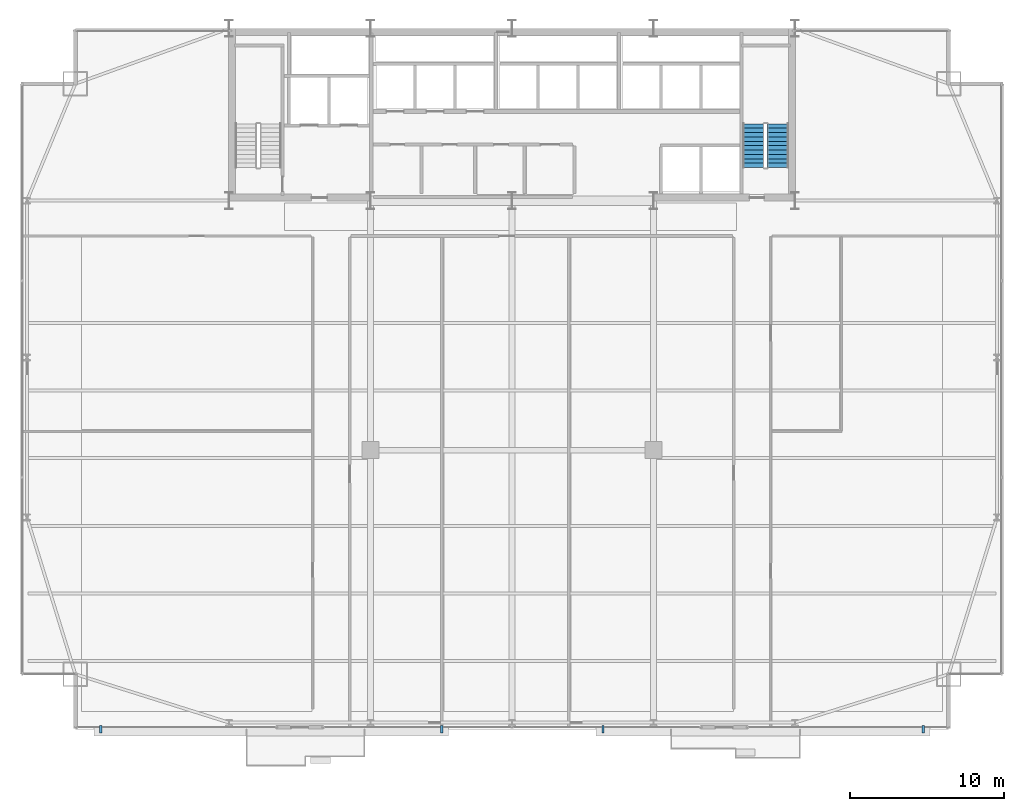
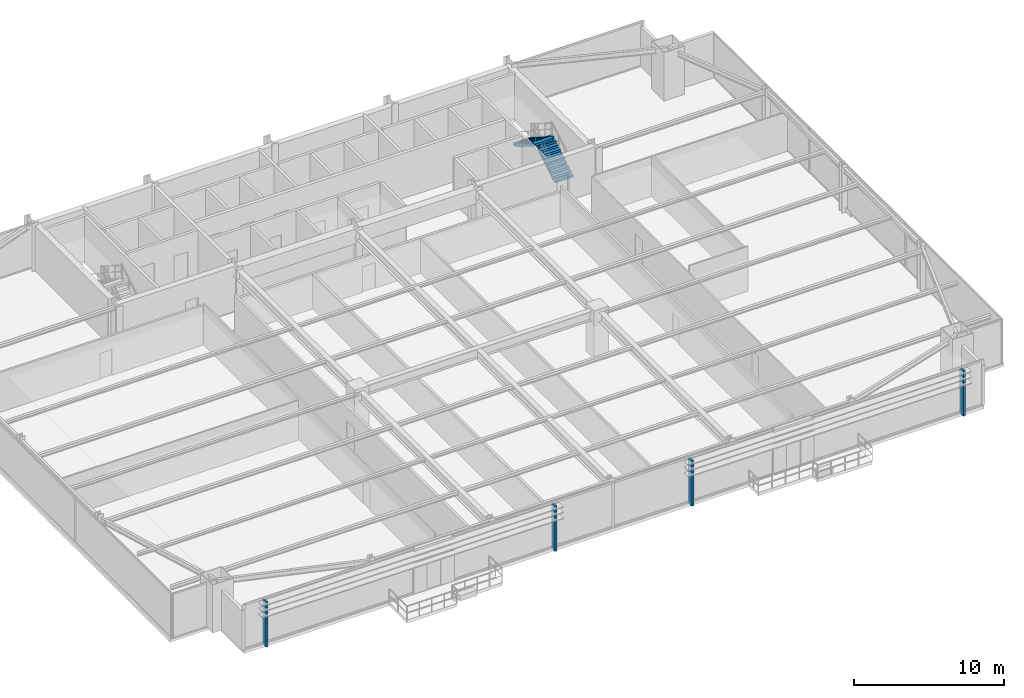
# One storey, part 29 of 31: 4 discrete accessories, 2 stair flights, 1 element without a shape of its own.
"""IFC4 building model written with IfcOpenShell, lengths in metres."""

import ifcopenshell
import ifcopenshell.guid

model = None  # the IFC model being written
_history = None  # IfcOwnerHistory: only IFC2X3 demands one
_inside = {}  # id of a spatial element -> (the spatial element, [elements in it])
_under = {}  # id of a project, library or spatial element -> (it, [spatial elements below it])
_declared = {}  # id of a project -> (the project, [libraries it declares])
_typed = {}  # id of a type object -> (the type object, [elements of that type])
_made_of = {}  # id of a material, layer set ... -> (it, [elements and type objects made of it])


def new_model(schema):
    """Start an empty IFC model of exactly this schema.

    Asked for "IFC4X3", IfcOpenShell would pick the latest addendum, in which some entities
    have other attributes; the version numbers below select the first issue.
    IFC2X3 requires an IfcOwnerHistory on every rooted entity: one is made here for all.
    """
    global model, _history
    if schema == "IFC4X3":
        model = ifcopenshell.file(schema_version=(4, 3, 0, 0))
    else:
        model = ifcopenshell.file(schema=schema)
    _inside.clear()
    _under.clear()
    _declared.clear()
    _typed.clear()
    _made_of.clear()
    _history = None
    if model.schema == "IFC2X3":
        org = make("IfcOrganization", Name="unknown")
        user = make(
            "IfcPersonAndOrganization",
            ThePerson=make("IfcPerson", FamilyName="unknown"),
            TheOrganization=org,
        )
        app = make(
            "IfcApplication",
            ApplicationDeveloper=org,
            Version="unknown",
            ApplicationFullName="unknown",
            ApplicationIdentifier="unknown",
        )
        _history = make(
            "IfcOwnerHistory",
            OwningUser=user,
            OwningApplication=app,
            ChangeAction="ADDED",
            CreationDate=0,
        )
    return model


def make(cls, **values):
    """One entity of the class cls with the attributes given. An attribute that is None is left unset."""
    return model.create_entity(
        cls, **{name: value for name, value in values.items() if value is not None}
    )


def rooted(cls, **values):
    """An entity with a GlobalId (a new one), such as an element, a storey or a relation."""
    return make(cls, GlobalId=ifcopenshell.guid.new(), OwnerHistory=_history, **values)


def si_unit(unit_type, name, prefix=None):
    """IfcSIUnit, for example si_unit("LENGTHUNIT", "METRE", prefix="MILLI")."""
    return make("IfcSIUnit", UnitType=unit_type, Prefix=prefix, Name=name)


def assignment(units):
    """IfcUnitAssignment: the units of a project."""
    return None if units is None else make("IfcUnitAssignment", Units=units)


def point(xyz):
    """IfcCartesianPoint."""
    return None if xyz is None else make("IfcCartesianPoint", Coordinates=xyz)


def direction(xyz):
    """IfcDirection."""
    return None if xyz is None else make("IfcDirection", DirectionRatios=xyz)


def frame(location, z_axis=None, x_axis=None):
    """IfcAxis2Placement3D, a coordinate frame: its origin and axes. An axis left out is left unset."""
    return make(
        "IfcAxis2Placement3D",
        Location=point(location),
        Axis=direction(z_axis),
        RefDirection=direction(x_axis),
    )


def frame_2d(location, x_axis=None):
    """IfcAxis2Placement2D, a coordinate frame in the plane: its origin and x axis."""
    return make(
        "IfcAxis2Placement2D", Location=point(location), RefDirection=direction(x_axis)
    )


def origin():
    """The frame at (0, 0, 0) with its axes left unset."""
    return frame((0.0, 0.0, 0.0))


def origin_2d():
    """The frame at (0, 0) in the plane with its x axis left unset."""
    return frame_2d((0.0, 0.0))


def place(relative_to, where):
    """IfcLocalPlacement: puts the frame where relative to a parent placement (None: the world)."""
    return make(
        "IfcLocalPlacement", PlacementRelTo=relative_to, RelativePlacement=where
    )


def context(
    kind, dimensions, precision=None, world=None, true_north=None, identifier=None
):
    """IfcGeometricRepresentationContext, for example the 3D "Model" context."""
    return make(
        "IfcGeometricRepresentationContext",
        ContextIdentifier=identifier,
        ContextType=kind,
        CoordinateSpaceDimension=dimensions,
        Precision=precision,
        WorldCoordinateSystem=world,
        TrueNorth=true_north,
    )


def subcontext(parent, identifier, kind, view, scale=None):
    """IfcGeometricRepresentationSubContext, for example "Body" below "Model"."""
    return make(
        "IfcGeometricRepresentationSubContext",
        ContextIdentifier=identifier,
        ContextType=kind,
        ParentContext=parent,
        TargetScale=scale,
        TargetView=view,
    )


def project(units=None, contexts=None):
    """IfcProject with its units and contexts."""
    return rooted(
        "IfcProject",
        Name="project",
        RepresentationContexts=contexts,
        UnitsInContext=assignment(units),
    )


def spatial(cls, under=None, at=None, **own):
    """A site, building, storey or space (cls), placed at a placement, below another one or the project."""
    s = rooted(cls, ObjectPlacement=at, **own)
    if under is not None:
        _under.setdefault(under.id(), (under, []))[1].append(s)
    return s


def polyline(points):
    """IfcPolyline through the points."""
    return make("IfcPolyline", Points=[point(p) for p in points])


def profile(cls, at=None, kind="AREA", **sizes):
    """A parametric profile (cls). Its sizes go by their IFC names, for example OverallWidth=200.0."""
    return make(cls, ProfileType=kind, Position=at, **sizes)


def rectangle(**sizes):
    """IfcRectangleProfileDef."""
    return profile("IfcRectangleProfileDef", **sizes)


def outline(outer, holes=None, kind="AREA"):
    """IfcArbitraryClosedProfileDef: a profile drawn as a closed curve; with holes, ...WithVoids."""
    if holes is None:
        return make("IfcArbitraryClosedProfileDef", ProfileType=kind, OuterCurve=outer)
    return make(
        "IfcArbitraryProfileDefWithVoids",
        ProfileType=kind,
        OuterCurve=outer,
        InnerCurves=holes,
    )


def extrude(swept, where, along, depth):
    """IfcExtrudedAreaSolid: the profile swept, set in the frame where, extruded along a direction by depth."""
    return make(
        "IfcExtrudedAreaSolid",
        SweptArea=swept,
        Position=where,
        ExtrudedDirection=direction(along),
        Depth=depth,
    )


def shape(context_of_items, identifier, shape_type, items):
    """IfcShapeRepresentation: the items that make up one representation, for example the "Body"."""
    return make(
        "IfcShapeRepresentation",
        ContextOfItems=context_of_items,
        RepresentationIdentifier=identifier,
        RepresentationType=shape_type,
        Items=items,
    )


def source(mapping_origin, context_of_items, identifier, shape_type, items):
    """IfcRepresentationMap: a shape defined once, which mapped items show again and again."""
    return make(
        "IfcRepresentationMap",
        MappingOrigin=mapping_origin,
        MappedRepresentation=shape(context_of_items, identifier, shape_type, items),
    )


def transform(
    local_origin,
    x_axis=None,
    y_axis=None,
    z_axis=None,
    scale=None,
    scale2=None,
    scale3=None,
    uniform=True,
):
    """IfcCartesianTransformationOperator3D, or its non-uniform kind. x_axis, y_axis, z_axis: its Axis1, 2, 3."""
    if uniform:
        return make(
            "IfcCartesianTransformationOperator3D",
            Axis1=direction(x_axis),
            Axis2=direction(y_axis),
            LocalOrigin=point(local_origin),
            Scale=scale,
            Axis3=direction(z_axis),
        )
    return make(
        "IfcCartesianTransformationOperator3DnonUniform",
        Axis1=direction(x_axis),
        Axis2=direction(y_axis),
        LocalOrigin=point(local_origin),
        Scale=scale,
        Axis3=direction(z_axis),
        Scale2=scale2,
        Scale3=scale3,
    )


def mapped(mapping_source, mapping_target):
    """IfcMappedItem: shows the shape of a source again, moved by a transform."""
    return make(
        "IfcMappedItem", MappingSource=mapping_source, MappingTarget=mapping_target
    )


def material(Name=None, Category=None):
    """IfcMaterial."""
    return make("IfcMaterial", Name=Name, Category=Category)


def layer(
    of_material, thickness, ventilated=None, Name=None, Category=None, Priority=None
):
    """IfcMaterialLayer: one layer of a wall or slab, of a material (None: an air gap)."""
    return make(
        "IfcMaterialLayer",
        Material=of_material,
        LayerThickness=thickness,
        IsVentilated=ventilated,
        Name=Name,
        Category=Category,
        Priority=Priority,
    )


def layer_set(layers, Name=None):
    """IfcMaterialLayerSet."""
    return make("IfcMaterialLayerSet", MaterialLayers=layers, LayerSetName=Name)


def made_of(thing, what):
    """Note that an element or type object is made of a material, layer set ...; save() writes the relation."""
    if what is not None:
        _made_of.setdefault(what.id(), (what, []))[1].append(thing)
    return thing


def type_object(cls, material=None, **own):
    """A type object (cls), such as IfcWallType, which elements share."""
    return made_of(rooted(cls, **own), material)


def type_shapes(of_type, sources):
    """Give a type object the sources (RepresentationMaps) that its elements show as mapped items."""
    of_type.RepresentationMaps = sources


def element(
    cls,
    number,
    at=None,
    inside=None,
    cuts=None,
    type_object=None,
    material=None,
    context=None,
    identifier="Body",
    shape_type=None,
    held_by="IfcProductDefinitionShape",
    body=None,
    shapes=None,
    **own,
):
    """One element of the class cls, such as IfcWall. Its Tag is "e" and its number.

    at: its placement. inside: the storey or other place that contains it. cuts: it is an
    opening in that element (IfcRelVoidsElement). A single representation is given by context,
    identifier, shape_type and body (its items); several are given by shapes. held_by: the class
    of the entity that holds the representations. save() writes the other relations.
    """
    e = rooted(cls, Tag="e%d" % number, ObjectPlacement=at, **own)
    if body is not None:
        shapes = [shape(context, identifier, shape_type, body)]
    if shapes is not None:
        e.Representation = make(held_by, Representations=shapes)
    if inside is not None:
        _inside.setdefault(inside.id(), (inside, []))[1].append(e)
    if cuts is not None:
        rooted(
            "IfcRelVoidsElement", RelatingBuildingElement=cuts, RelatedOpeningElement=e
        )
    if type_object is not None:
        _typed.setdefault(type_object.id(), (type_object, []))[1].append(e)
    return made_of(e, material)


def aggregate(whole, parts):
    """IfcRelAggregates: a whole, such as a stair, and the parts it consists of."""
    return rooted("IfcRelAggregates", RelatingObject=whole, RelatedObjects=parts)


def save(model, path):
    """Write the relations noted so far, then the file.

    IfcRelAggregates (storeys below a building ...), IfcRelContainedInSpatialStructure (elements
    in a storey), IfcRelDefinesByType, IfcRelAssociatesMaterial and IfcRelDeclares: one each for
    every whole, place, type object, material and project.
    """
    for whole, parts in _under.values():
        aggregate(whole, parts)
    for where, things in _inside.values():
        rooted(
            "IfcRelContainedInSpatialStructure",
            RelatedElements=things,
            RelatingStructure=where,
        )
    for kind, things in _typed.values():
        rooted("IfcRelDefinesByType", RelatedObjects=things, RelatingType=kind)
    for what, things in _made_of.values():
        rooted("IfcRelAssociatesMaterial", RelatedObjects=things, RelatingMaterial=what)
    for by, libraries in _declared.values():
        rooted("IfcRelDeclares", RelatingContext=by, RelatedDefinitions=libraries)
    model.write(path)


model = new_model("IFC4")

# Units and contexts
model_context = context("Model", 3, precision=1e-05, world=origin(), true_north=direction((0.0, 1.0)))
body_context = subcontext(model_context, "Body", "Model", "MODEL_VIEW")
ifc_project = project(units=[si_unit("LENGTHUNIT", "METRE"), si_unit("AREAUNIT", "SQUARE_METRE"), si_unit("VOLUMEUNIT", "CUBIC_METRE"), si_unit("PLANEANGLEUNIT", "RADIAN"), si_unit("MASSUNIT", "GRAM", prefix="KILO")], contexts=[model_context])

# Site, building, storey
site_placement = place(None, origin())
site = spatial("IfcSite", under=ifc_project, at=site_placement, CompositionType="ELEMENT")
building_placement = place(site_placement, origin())
building = spatial("IfcBuilding", under=site, at=building_placement, Name="Varnel Quay Broadcast Tower", CompositionType="ELEMENT")
storey_placement = place(building_placement, frame((0.0, 0.0, 35.39990234375)))
storey = spatial("IfcBuildingStorey", under=building, at=storey_placement, Name="L07", CompositionType="ELEMENT", Elevation=35.39990234375)

# Stair, stair flights
ifc_material_1 = material(Name="Precast Structural Concrete C40/50", Category="concrete")
stair_type = type_object("IfcStairType", Name="Stair_ST-02", PredefinedType="HALF_TURN_STAIR", material=ifc_material_1)
stair_placement = place(storey_placement, origin())
stair = element("IfcStair", 1, at=stair_placement, inside=storey, type_object=stair_type, Name="L07 East Core Exit Stair 2", PredefinedType="HALF_TURN_STAIR")
stair_flight_type = type_object("IfcStairFlightType", Name="Flight_ST-02", PredefinedType="STRAIGHT", material=ifc_material_1)
stair_flight_1_placement = place(storey_placement, frame((51.300048828125, 37.75, 0.0), z_axis=(0.0, 0.0, 1.0), x_axis=(0.0, 1.0, 0.0)))
stair_flight_1 = element("IfcStairFlight", 2, at=stair_flight_1_placement, type_object=stair_flight_type, Name="ST-02 flight 1", NumberOfRisers=11, NumberOfTreads=10, PredefinedType="STRAIGHT", RiserHeight=0.177272727, TreadLength=0.285, context=body_context, shape_type="SweptSolid", body=[
    extrude(outline(polyline([(0.0, 0.0), (0.0, 0.17724609375), (0.284912109375, 0.17724609375), (0.284912109375, 0.3544921875), (0.570068359375, 0.3544921875), (0.570068359375, 0.53173828125), (0.85498046875, 0.53173828125), (0.85498046875, 0.708984375), (1.139892578125, 0.708984375), (1.139892578125, 0.886474609375), (1.425048828125, 0.886474609375), (1.425048828125, 1.063720703125), (1.7099609375, 1.063720703125), (1.7099609375, 1.240966796875), (1.9951171875, 1.240966796875), (1.9951171875, 1.418212890625), (2.280029296875, 1.418212890625), (2.280029296875, 1.595458984375), (2.56494140625, 1.595458984375), (2.56494140625, 1.772705078125), (2.85009765625, 1.772705078125), (2.85009765625, 1.949951171875), (2.85009765625, 1.59619140625), (0.283935546875, 0.0), (0.0, 0.0)])), frame((0.0, 0.699951171875, 0.0), z_axis=(0.0, -1.0, 0.0), x_axis=(1.0, 0.0, 0.0)), (0.0, 0.0, 1.0), 1.39990234375),
])
stair_flight_2_placement = place(storey_placement, frame((49.699951171875, 40.60009765625, 1.9501953125), z_axis=(0.0, 0.0, 1.0), x_axis=(0.0, -1.0, 0.0)))
stair_flight_2 = element("IfcStairFlight", 3, at=stair_flight_2_placement, type_object=stair_flight_type, Name="ST-02 flight 2", NumberOfRisers=11, NumberOfTreads=10, PredefinedType="STRAIGHT", RiserHeight=0.177272727, TreadLength=0.285, context=body_context, shape_type="SweptSolid", body=[
    extrude(outline(polyline([(0.0, 0.0), (0.0, 0.17724609375), (0.284912109375, 0.17724609375), (0.284912109375, 0.3544921875), (0.570068359375, 0.3544921875), (0.570068359375, 0.53173828125), (0.85498046875, 0.53173828125), (0.85498046875, 0.708984375), (1.139892578125, 0.708984375), (1.139892578125, 0.886474609375), (1.425048828125, 0.886474609375), (1.425048828125, 1.063720703125), (1.7099609375, 1.063720703125), (1.7099609375, 1.240966796875), (1.9951171875, 1.240966796875), (1.9951171875, 1.418212890625), (2.280029296875, 1.418212890625), (2.280029296875, 1.595458984375), (2.56494140625, 1.595458984375), (2.56494140625, 1.772705078125), (2.85009765625, 1.772705078125), (2.85009765625, 1.949951171875), (2.85009765625, 1.59619140625), (0.283935546875, 0.0), (0.0, 0.0)])), frame((0.0, 0.699951171875, 0.0), z_axis=(0.0, -1.0, 0.0), x_axis=(1.0, 0.0, 0.0)), (0.0, 0.0, 1.0), 1.39990234375),
])
aggregate(stair, [stair_flight_1, stair_flight_2])

# Discrete accessories
ifc_material_2 = material(Name="Anodised Bronze Aluminium 6063-T6", Category="aluminium")
ifc_layer = layer(ifc_material_2, 0.47998046875, Name="Anodised Bronze Aluminium 6063-T6")
ifc_layer_set = layer_set([ifc_layer], Name="Anodised Bronze Aluminium 6063-T6")
discrete_accessory_type = type_object("IfcDiscreteAccessoryType", Name="Acc_FacadeBracket", PredefinedType="BRACKET", material=ifc_layer_set)
shared_shape = source(origin(), body_context, "Body", "SweptSolid", [
    extrude(rectangle(XDim=0.159912109375, YDim=0.47998046875, at=origin_2d()), origin(), (0.0, 0.0, 1.0), 3.64990234375),
])
type_shapes(discrete_accessory_type, [shared_shape])
for number, where, z_axis, x_axis, name in (
    (4, (7.25, 1.219970703125, -0.14990234375), (0.0, 0.0, 1.0), (1.0, 0.0, 0.0), "L07 Lobe 1 Louvre Support Bracket 1"),
    (5, (29.4189453125, 1.219970703125, -0.14990234375), (0.0, 0.0, 1.0), (1.0, 0.0, 0.0), "L07 Lobe 1 Louvre Support Bracket 2"),
    (6, (39.9189453125, 1.219970703125, -0.14990234375), (0.0, 0.0, 1.0), (1.0, 0.0, 0.0), "L07 Lobe 2 Louvre Support Bracket 1"),
    (7, (60.75, 1.219970703125, -0.14990234375), (0.0, 0.0, 1.0), (1.0, 0.0, 0.0), "L07 Lobe 2 Louvre Support Bracket 2"),
):
    element("IfcDiscreteAccessory", number, at=place(storey_placement, frame(where, z_axis=z_axis, x_axis=x_axis)), inside=storey, type_object=discrete_accessory_type, Name=name, PredefinedType="BRACKET", context=body_context, shape_type="MappedRepresentation", body=[
        mapped(shared_shape, transform((0.0, 0.0, 0.0), x_axis=(1.0, 0.0, 0.0), y_axis=(0.0, 1.0, 0.0), z_axis=(0.0, 0.0, 1.0), scale=1.0)),
    ])

save(model, "model.ifc")
